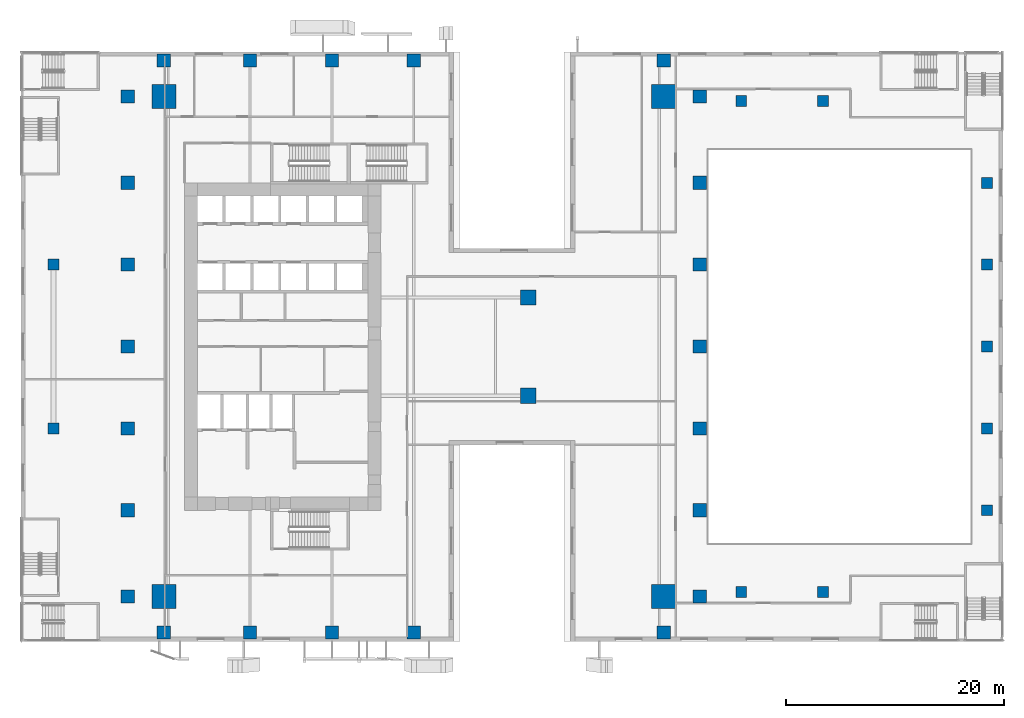
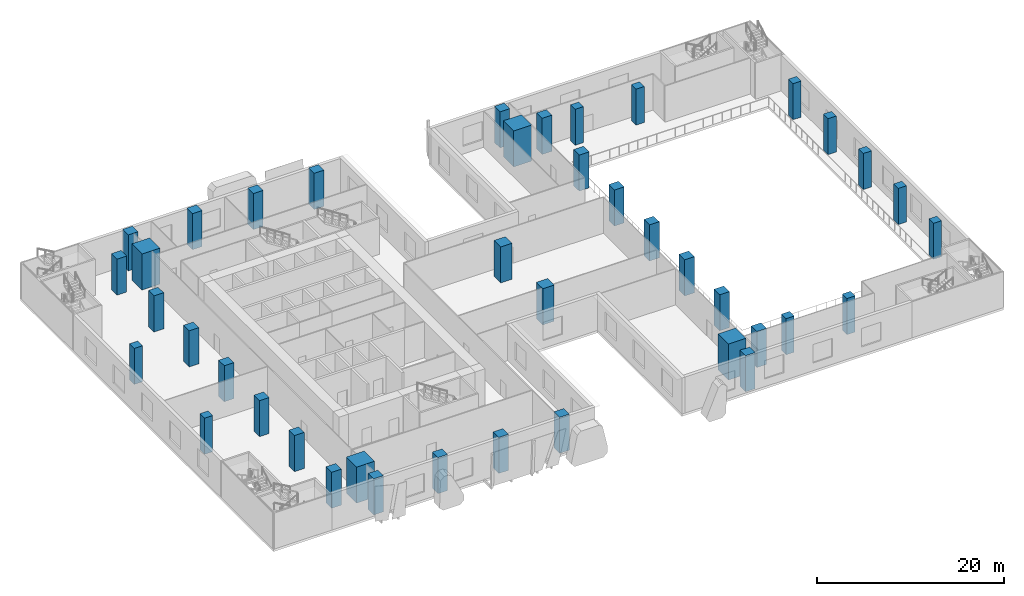
# One storey, part 1 of 23: 41 columns.
"""IFC4 building model written with IfcOpenShell, lengths in metres."""

from ifc_helpers import new_model, si_unit, direction, frame, origin, origin_2d, place, context, subcontext, project, spatial, rectangle, extrude, source, transform, mapped, material, material_profile, profile_set, type_object, element, save


model = new_model("IFC4")

# Units and contexts
model_context = context("Model", 3, precision=1e-05, world=origin(), true_north=direction((0.0, 1.0)))
body_context = subcontext(model_context, "Body", "Model", "MODEL_VIEW")
ifc_project = project(units=[si_unit("LENGTHUNIT", "METRE"), si_unit("AREAUNIT", "SQUARE_METRE"), si_unit("VOLUMEUNIT", "CUBIC_METRE"), si_unit("PLANEANGLEUNIT", "RADIAN"), si_unit("MASSUNIT", "GRAM", prefix="KILO")], contexts=[model_context])

# Site, building, storey
site_placement = place(None, origin())
site = spatial("IfcSite", under=ifc_project, at=site_placement, CompositionType="ELEMENT")
building_placement = place(site_placement, origin())
building = spatial("IfcBuilding", under=site, at=building_placement, Name="Khomas Fold Tower", CompositionType="ELEMENT")
storey_placement = place(building_placement, frame((0.0, 0.0, 18.5)))
storey = spatial("IfcBuildingStorey", under=building, at=storey_placement, Name="L03", CompositionType="ELEMENT", Elevation=18.5)

# Columns
ifc_material_1 = material(Name="Concrete C70/85", Category="concrete")
ifc_material_profile_1 = material_profile(ifc_material_1, rectangle(XDim=2.199951171875, YDim=2.199951171875, at=origin_2d()), Name="RC 2200x2200")
ifc_profile_set_1 = profile_set([ifc_material_profile_1], Name="Concrete C70/85")
column_type_1 = type_object("IfcColumnType", Name="RC 2200x2200 column", PredefinedType="COLUMN", material=ifc_profile_set_1)
shared_shape_1 = source(origin(), body_context, "Body", "SweptSolid", [
    extrude(rectangle(XDim=2.199951171875, YDim=2.199951171875, at=origin_2d()), origin(), (0.0, 0.0, 1.0), 4.699951171875),
])
for number, where, z_axis, x_axis, name in (
    (1, (49.89990234375, 49.89990234375, 0.0), (0.0, 0.0, 1.0), (1.0, 0.0, 0.0), "CM-NE"),
    (2, (4.10009765625, 49.89990234375, 0.0), (0.0, 0.0, 1.0), (1.0, 0.0, 0.0), "CM-NW"),
    (3, (49.89990234375, 4.10009765625, 0.0), (0.0, 0.0, 1.0), (1.0, 0.0, 0.0), "CM-SE"),
    (4, (4.10009765625, 4.10009765625, 0.0), (0.0, 0.0, 1.0), (1.0, 0.0, 0.0), "CM-SW"),
):
    element("IfcColumn", number, at=place(storey_placement, frame(where, z_axis=z_axis, x_axis=x_axis)), inside=storey, type_object=column_type_1, Name=name, PredefinedType="COLUMN", context=body_context, shape_type="MappedRepresentation", body=[
        mapped(shared_shape_1, transform((0.0, 0.0, 0.0))),
    ])
ifc_material_2 = material(Name="Concrete C60/75", Category="concrete")
ifc_material_profile_2 = material_profile(ifc_material_2, rectangle(XDim=1.199951171875, YDim=1.199951171875, at=origin_2d()), Name="RC 1200x1200")
ifc_profile_set_2 = profile_set([ifc_material_profile_2], Name="Concrete C60/75")
column_type_2 = type_object("IfcColumnType", Name="RC 1200x1200 column", PredefinedType="COLUMN", material=ifc_profile_set_2)
shared_shape_2 = source(origin(), body_context, "Body", "SweptSolid", [
    extrude(rectangle(XDim=1.199951171875, YDim=1.199951171875, at=origin_2d()), origin(), (0.0, 0.0, 1.0), 4.699951171875),
])
for number, where, z_axis, x_axis, name in (
    (5, (4.10009765625, 0.800048828125, 0.0), (0.0, 0.0, 1.0), (1.0, 0.0, 0.0), "C-2-SF1"),
    (6, (12.0, 0.800048828125, 0.0), (0.0, 0.0, 1.0), (1.0, 0.0, 0.0), "C-6-SF1"),
    (7, (19.5, 0.800048828125, 0.0), (0.0, 0.0, 1.0), (1.0, 0.0, 0.0), "C-8-SF1"),
    (8, (27.0, 0.800048828125, 0.0), (0.0, 0.0, 1.0), (1.0, 0.0, 0.0), "C-9-SF1"),
    (9, (49.89990234375, 0.800048828125, 0.0), (0.0, 0.0, 1.0), (1.0, 0.0, 0.0), "C-17-SF1"),
    (10, (53.199951171875, 4.10009765625, 0.0), (0.0, 0.0, 1.0), (1.0, 0.0, 0.0), "C-E1-A"),
    (11, (53.199951171875, 12.0, 0.0), (0.0, 0.0, 1.0), (1.0, 0.0, 0.0), "C-E1-F"),
    (12, (53.199951171875, 19.5, 0.0), (0.0, 0.0, 1.0), (1.0, 0.0, 0.0), "C-E1-J"),
    (13, (53.199951171875, 27.0, 0.0), (0.0, 0.0, 1.0), (1.0, 0.0, 0.0), "C-E1-L"),
    (14, (53.199951171875, 34.5, 0.0), (0.0, 0.0, 1.0), (1.0, 0.0, 0.0), "C-E1-N"),
    (15, (53.199951171875, 42.0, 0.0), (0.0, 0.0, 1.0), (1.0, 0.0, 0.0), "C-E1-R"),
    (16, (53.199951171875, 49.89990234375, 0.0), (0.0, 0.0, 1.0), (1.0, 0.0, 0.0), "C-E1-W"),
    (17, (4.10009765625, 53.199951171875, 0.0), (0.0, 0.0, 1.0), (1.0, 0.0, 0.0), "C-2-NF1"),
    (18, (12.0, 53.199951171875, 0.0), (0.0, 0.0, 1.0), (1.0, 0.0, 0.0), "C-6-NF1"),
    (19, (19.5, 53.199951171875, 0.0), (0.0, 0.0, 1.0), (1.0, 0.0, 0.0), "C-8-NF1"),
    (20, (27.0, 53.199951171875, 0.0), (0.0, 0.0, 1.0), (1.0, 0.0, 0.0), "C-9-NF1"),
    (21, (49.89990234375, 53.199951171875, 0.0), (0.0, 0.0, 1.0), (1.0, 0.0, 0.0), "C-17-NF1"),
    (22, (0.800048828125, 4.10009765625, 0.0), (0.0, 0.0, 1.0), (1.0, 0.0, 0.0), "C-W1-A"),
    (23, (0.800048828125, 12.0, 0.0), (0.0, 0.0, 1.0), (1.0, 0.0, 0.0), "C-W1-F"),
    (24, (0.800048828125, 19.5, 0.0), (0.0, 0.0, 1.0), (1.0, 0.0, 0.0), "C-W1-J"),
    (25, (0.800048828125, 27.0, 0.0), (0.0, 0.0, 1.0), (1.0, 0.0, 0.0), "C-W1-L"),
    (26, (0.800048828125, 34.5, 0.0), (0.0, 0.0, 1.0), (1.0, 0.0, 0.0), "C-W1-N"),
    (27, (0.800048828125, 42.0, 0.0), (0.0, 0.0, 1.0), (1.0, 0.0, 0.0), "C-W1-R"),
    (28, (0.800048828125, 49.89990234375, 0.0), (0.0, 0.0, 1.0), (1.0, 0.0, 0.0), "C-W1-W"),
):
    element("IfcColumn", number, at=place(storey_placement, frame(where, z_axis=z_axis, x_axis=x_axis)), inside=storey, type_object=column_type_2, Name=name, PredefinedType="COLUMN", context=body_context, shape_type="MappedRepresentation", body=[
        mapped(shared_shape_2, transform((0.0, 0.0, 0.0))),
    ])
ifc_material_3 = material(Name="Concrete C60/75", Category="concrete")
ifc_material_profile_3 = material_profile(ifc_material_3, rectangle(XDim=1.39990234375, YDim=1.39990234375, at=origin_2d()), Name="RC 1400x1400")
ifc_profile_set_3 = profile_set([ifc_material_profile_3], Name="Concrete C60/75")
column_type_3 = type_object("IfcColumnType", Name="RC 1400x1400 column", PredefinedType="COLUMN", material=ifc_profile_set_3)
shared_shape_3 = source(origin(), body_context, "Body", "SweptSolid", [
    extrude(rectangle(XDim=1.39990234375, YDim=1.39990234375, at=origin_2d()), origin(), (0.0, 0.0, 1.0), 4.699951171875),
])
for number, where, z_axis, x_axis, name in (
    (29, (37.5, 22.5, 0.0), (0.0, 0.0, 1.0), (1.0, 0.0, 0.0), "C-11-K"),
    (30, (37.5, 31.5, 0.0), (0.0, 0.0, 1.0), (1.0, 0.0, 0.0), "C-11-M"),
):
    element("IfcColumn", number, at=place(storey_placement, frame(where, z_axis=z_axis, x_axis=x_axis)), inside=storey, type_object=column_type_3, Name=name, PredefinedType="COLUMN", context=body_context, shape_type="MappedRepresentation", body=[
        mapped(shared_shape_3, transform((0.0, 0.0, 0.0))),
    ])
ifc_material_4 = material(Name="Concrete C50/60", Category="concrete")
ifc_material_profile_4 = material_profile(ifc_material_4, rectangle(XDim=1.0, YDim=1.0, at=origin_2d()), Name="RC 1000x1000")
ifc_profile_set_4 = profile_set([ifc_material_profile_4], Name="Concrete C50/60")
column_type_4 = type_object("IfcColumnType", Name="RC 1000x1000 column", PredefinedType="COLUMN", material=ifc_profile_set_4)
shared_shape_4 = source(origin(), body_context, "Body", "SweptSolid", [
    extrude(rectangle(XDim=1.0, YDim=1.0, at=origin_2d()), origin(), (0.0, 0.0, 1.0), 4.699951171875),
])
for number, where, z_axis, x_axis, name in (
    (31, (-6.0, 19.5, 0.0), (0.0, 0.0, 1.0), (1.0, 0.0, 0.0), "C-1-J"),
    (32, (-6.0, 34.5, 0.0), (0.0, 0.0, 1.0), (1.0, 0.0, 0.0), "C-1-N"),
    (33, (57.0, 4.5, 0.0), (0.0, 0.0, 1.0), (1.0, 0.0, 0.0), "C-18-B"),
    (34, (57.0, 49.5, 0.0), (0.0, 0.0, 1.0), (1.0, 0.0, 0.0), "C-18-V"),
    (35, (64.5, 4.5, 0.0), (0.0, 0.0, 1.0), (1.0, 0.0, 0.0), "C-19-B"),
    (36, (64.5, 49.5, 0.0), (0.0, 0.0, 1.0), (1.0, 0.0, 0.0), "C-19-V"),
    (37, (79.5, 12.0, 0.0), (0.0, 0.0, 1.0), (1.0, 0.0, 0.0), "C-20-F"),
    (38, (79.5, 19.5, 0.0), (0.0, 0.0, 1.0), (1.0, 0.0, 0.0), "C-20-J"),
    (39, (79.5, 27.0, 0.0), (0.0, 0.0, 1.0), (1.0, 0.0, 0.0), "C-20-L"),
    (40, (79.5, 34.5, 0.0), (0.0, 0.0, 1.0), (1.0, 0.0, 0.0), "C-20-N"),
    (41, (79.5, 42.0, 0.0), (0.0, 0.0, 1.0), (1.0, 0.0, 0.0), "C-20-R"),
):
    element("IfcColumn", number, at=place(storey_placement, frame(where, z_axis=z_axis, x_axis=x_axis)), inside=storey, type_object=column_type_4, Name=name, PredefinedType="COLUMN", context=body_context, shape_type="MappedRepresentation", body=[
        mapped(shared_shape_4, transform((0.0, 0.0, 0.0))),
    ])

save(model, "model.ifc")
